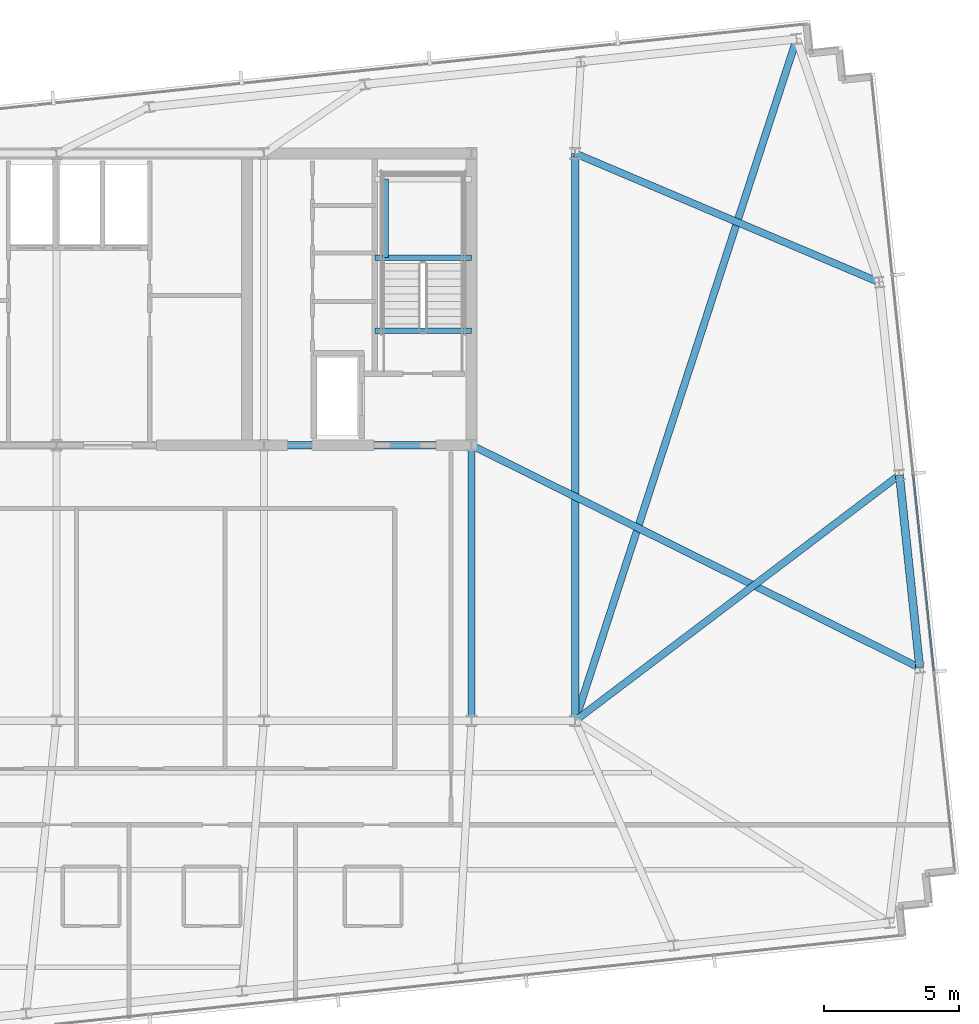
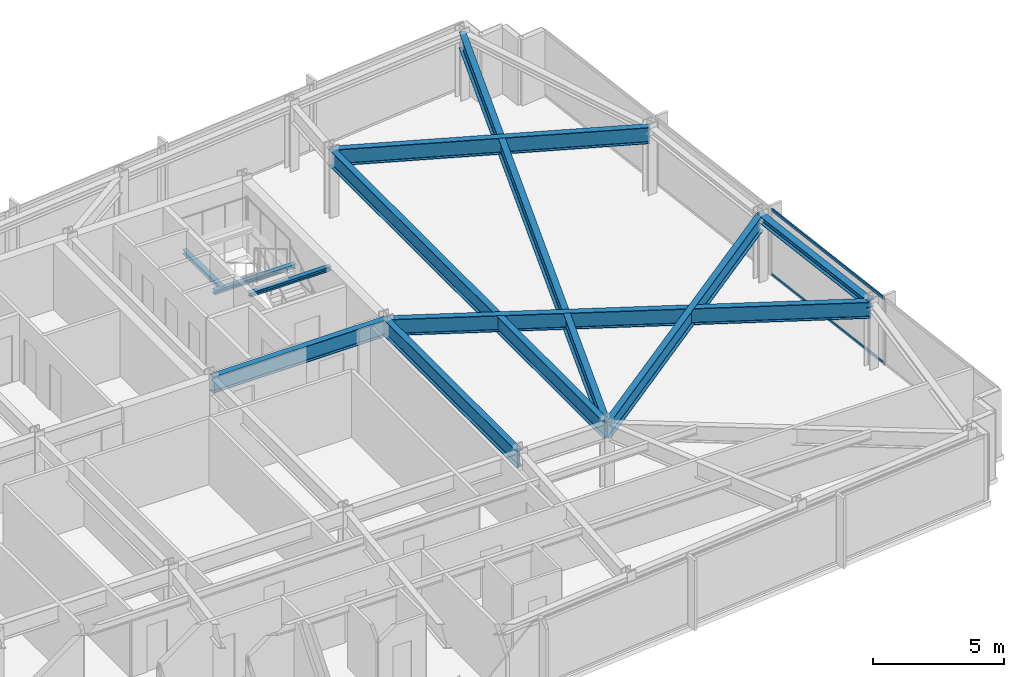
# One storey, part 18 of 33: 11 beams, 2 members, 1 element without a shape of its own.
"""IFC4 building model written with IfcOpenShell, lengths in metres."""

from ifc_helpers import new_model, si_unit, direction, frame, origin, origin_2d, place, context, subcontext, project, spatial, hollow_rectangle, i_section, extrude, material, material_profile, profile_set, type_object, element, aggregate, save


model = new_model("IFC4")

# Units and contexts
model_context = context("Model", 3, precision=1e-05, world=origin(), true_north=direction((0.0, 1.0)))
body_context = subcontext(model_context, "Body", "Model", "MODEL_VIEW")
ifc_project = project(units=[si_unit("LENGTHUNIT", "METRE"), si_unit("AREAUNIT", "SQUARE_METRE"), si_unit("VOLUMEUNIT", "CUBIC_METRE"), si_unit("PLANEANGLEUNIT", "RADIAN"), si_unit("MASSUNIT", "GRAM", prefix="KILO")], contexts=[model_context])

# Site, building, storey
site_placement = place(None, origin())
site = spatial("IfcSite", under=ifc_project, at=site_placement, CompositionType="ELEMENT")
building_placement = place(site_placement, origin())
building = spatial("IfcBuilding", under=site, at=building_placement, Name="Yelkora Congress Tower", CompositionType="ELEMENT")
storey_placement = place(building_placement, frame((0.0, 0.0, 234.199951171875)))
storey = spatial("IfcBuildingStorey", under=building, at=storey_placement, Name="L65", CompositionType="ELEMENT", Elevation=234.199951171875)

# Beams
ifc_material_1 = material(Name="Steel S355J2", Category="steel")
ifc_material_profile_1 = material_profile(ifc_material_1, i_section(OverallWidth=0.26708984375, OverallDepth=0.761962890625, WebThickness=0.014404296875, FlangeThickness=0.021484375, FilletRadius=0.01708984375, at=origin_2d()), Name="IPE 750x173")
ifc_profile_set_1 = profile_set([ifc_material_profile_1], Name="Steel S355J2")
beam_type_1 = type_object("IfcBeamType", Name="BM-GIRD-IPE750", PredefinedType="BEAM", material=ifc_profile_set_1)
beam_1_placement = place(storey_placement, frame((46.080078125, 35.39990234375, 2.698974609375), z_axis=(1.0, 0.0, 0.0), x_axis=(0.0, 1.0, 0.0)))
element("IfcBeam", 1, at=beam_1_placement, inside=storey, type_object=beam_type_1, Name="L65 Core South Girder 4", PredefinedType="BEAM", context=body_context, shape_type="SweptSolid", body=[
    extrude(i_section(OverallWidth=0.26708984375, OverallDepth=0.761962890625, WebThickness=0.014404296875, FlangeThickness=0.021484375, FilletRadius=0.01708984375, at=origin_2d()), origin(), (0.0, 0.0, 1.0), 7.679931640625),
])
beam_2_placement = place(storey_placement, frame((53.760009765625, 25.199951171875, 2.698974609375), z_axis=(0.0, 1.0, 0.0), x_axis=(-1.0, 0.0, 0.0)))
element("IfcBeam", 2, at=beam_2_placement, inside=storey, type_object=beam_type_1, Name="L65 Core Tie Girder MC-D5", PredefinedType="BEAM", context=body_context, shape_type="SweptSolid", body=[
    extrude(i_section(OverallWidth=0.26708984375, OverallDepth=0.761962890625, WebThickness=0.014404296875, FlangeThickness=0.021484375, FilletRadius=0.01708984375, at=origin_2d()), origin(), (0.0, 0.0, 1.0), 10.199951171875),
])
beam_3_placement = place(storey_placement, frame((57.60009765625, 25.199951171875, 2.698974609375), z_axis=(0.0, 1.0, 0.0), x_axis=(-1.0, 0.0, 0.0)))
element("IfcBeam", 3, at=beam_3_placement, inside=storey, type_object=beam_type_1, Name="L65 Neck Flank Girder MC-F2", PredefinedType="BEAM", context=body_context, shape_type="SweptSolid", body=[
    extrude(i_section(OverallWidth=0.26708984375, OverallDepth=0.761962890625, WebThickness=0.014404296875, FlangeThickness=0.021484375, FilletRadius=0.01708984375, at=origin_2d()), origin(), (0.0, 0.0, 1.0), 21.0),
])
beam_4_placement = place(storey_placement, frame((65.7958984375, 50.4365234375, 2.698974609375), z_axis=(-0.308878638672, -0.951101459663, 0.0), x_axis=(0.951101459663, -0.308878638672, 0.0)))
element("IfcBeam", 4, at=beam_4_placement, inside=storey, type_object=beam_type_1, Name="L65 Primary Frame Girder N07", PredefinedType="BEAM", context=body_context, shape_type="SweptSolid", body=[
    extrude(i_section(OverallWidth=0.26708984375, OverallDepth=0.761962890625, WebThickness=0.014404296875, FlangeThickness=0.021484375, FilletRadius=0.01708984375, at=origin_2d()), origin(), (0.0, 0.0, 1.0), 26.533935546875),
])
beam_5_placement = place(storey_placement, frame((70.35400390625, 27.160400390625, 2.698974609375), z_axis=(-0.895665070913, 0.444729221826, 0.0), x_axis=(-0.444729221826, -0.895665070913, 0.0)))
element("IfcBeam", 5, at=beam_5_placement, inside=storey, type_object=beam_type_1, Name="L65 Primary Frame Girder E01", PredefinedType="BEAM", context=body_context, shape_type="SweptSolid", body=[
    extrude(i_section(OverallWidth=0.26708984375, OverallDepth=0.761962890625, WebThickness=0.014404296875, FlangeThickness=0.021484375, FilletRadius=0.01708984375, at=origin_2d()), origin(), (0.0, 0.0, 1.0), 18.527099609375),
])
beam_6_placement = place(storey_placement, frame((69.60400390625, 34.296142578125, 2.698974609375), z_axis=(-0.797017901034, -0.603955681678, 0.0), x_axis=(0.603955681678, -0.797017901034, 0.0)))
element("IfcBeam", 6, at=beam_6_placement, inside=storey, type_object=beam_type_1, Name="L65 Primary Frame Girder E02", PredefinedType="BEAM", context=body_context, shape_type="SweptSolid", body=[
    extrude(i_section(OverallWidth=0.26708984375, OverallDepth=0.761962890625, WebThickness=0.014404296875, FlangeThickness=0.021484375, FilletRadius=0.01708984375, at=origin_2d()), origin(), (0.0, 0.0, 1.0), 15.06103515625),
])
beam_7_placement = place(storey_placement, frame((68.85400390625, 41.431884765625, 2.698974609375), z_axis=(-0.920767530621, 0.390111720606, 0.0), x_axis=(-0.390111720606, -0.920767530621, 0.0)))
element("IfcBeam", 7, at=beam_7_placement, inside=storey, type_object=beam_type_1, Name="L65 Primary Frame Girder E03", PredefinedType="BEAM", context=body_context, shape_type="SweptSolid", body=[
    extrude(i_section(OverallWidth=0.26708984375, OverallDepth=0.761962890625, WebThickness=0.014404296875, FlangeThickness=0.021484375, FilletRadius=0.01708984375, at=origin_2d()), origin(), (0.0, 0.0, 1.0), 12.222412109375),
])
ifc_material_profile_2 = material_profile(ifc_material_1, i_section(OverallWidth=0.199951171875, OverallDepth=0.18994140625, WebThickness=0.006591796875, FlangeThickness=0.010009765625, FilletRadius=0.01806640625, at=origin_2d()), Name="HEA 200")
ifc_profile_set_2 = profile_set([ifc_material_profile_2], Name="Steel S355J2")
beam_type_2 = type_object("IfcBeamType", Name="BM-LAND-HEA200", PredefinedType="BEAM", material=ifc_profile_set_2)
beam_8_placement = place(storey_placement, frame((50.179931640625, 42.340087890625, 1.334716796875), z_axis=(1.0, 0.0, 0.0), x_axis=(0.0, 1.0, 0.0)))
element("IfcBeam", 8, at=beam_8_placement, inside=storey, type_object=beam_type_2, Name="ST-02 L65 Landing Header Beam 1S", PredefinedType="BEAM", context=body_context, shape_type="SweptSolid", body=[
    extrude(i_section(OverallWidth=0.199951171875, OverallDepth=0.18994140625, WebThickness=0.006591796875, FlangeThickness=0.010009765625, FilletRadius=0.01806640625, at=origin_2d()), origin(), (0.0, 0.0, 1.0), 3.580078125),
])
beam_9_placement = place(storey_placement, frame((50.580078125, 42.340087890625, 1.334716796875), z_axis=(0.0, 1.0, 0.0), x_axis=(-1.0, 0.0, 0.0)))
element("IfcBeam", 9, at=beam_9_placement, inside=storey, type_object=beam_type_2, Name="ST-02 L65 Landing Trimmer Beam 1M", PredefinedType="BEAM", context=body_context, shape_type="SweptSolid", body=[
    extrude(i_section(OverallWidth=0.199951171875, OverallDepth=0.18994140625, WebThickness=0.006591796875, FlangeThickness=0.010009765625, FilletRadius=0.01806640625, at=origin_2d()), origin(), (0.0, 0.0, 1.0), 2.909912109375),
])
beam_10_placement = place(storey_placement, frame((50.179931640625, 39.639892578125, 2.85400390625), z_axis=(1.0, 0.0, 0.0), x_axis=(0.0, 1.0, 0.0)))
element("IfcBeam", 10, at=beam_10_placement, inside=storey, type_object=beam_type_2, Name="ST-02 L65 Floor Arrival Stringer Header Beam", PredefinedType="BEAM", context=body_context, shape_type="SweptSolid", body=[
    extrude(i_section(OverallWidth=0.199951171875, OverallDepth=0.18994140625, WebThickness=0.006591796875, FlangeThickness=0.010009765625, FilletRadius=0.01806640625, at=origin_2d()), origin(), (0.0, 0.0, 1.0), 3.580078125),
])
ifc_material_profile_3 = material_profile(ifc_material_1, i_section(OverallWidth=0.300048828125, OverallDepth=0.340087890625, WebThickness=0.011962890625, FlangeThickness=0.021484375, FilletRadius=0.027099609375, at=origin_2d()), Name="HEB 340")
ifc_profile_set_3 = profile_set([ifc_material_profile_3], Name="Steel S355J2")
beam_type_3 = type_object("IfcBeamType", Name="BM-SPAN-HEB340", PredefinedType="SPANDREL", material=ifc_profile_set_3)
beam_11_placement = place(storey_placement, frame((70.35400390625, 27.160400390625, 2.91015625), z_axis=(-0.104528914631, 0.994521847928, 0.0), x_axis=(-0.994521847928, -0.104528914631, 0.0)))
element("IfcBeam", 11, at=beam_11_placement, inside=storey, type_object=beam_type_3, Name="L65 Perimeter Beam 10", PredefinedType="SPANDREL", context=body_context, shape_type="SweptSolid", body=[
    extrude(i_section(OverallWidth=0.300048828125, OverallDepth=0.340087890625, WebThickness=0.011962890625, FlangeThickness=0.021484375, FilletRadius=0.027099609375, at=origin_2d()), origin(), (0.0, 0.0, 1.0), 7.175048828125),
])

# Curtain wall, members
ifc_material_2 = material(Name="Anodised aluminium and insulated glass", Category="aluminium")
curtain_wall_type = type_object("IfcCurtainWallType", Name="CW-SYS-B4", PredefinedType="NOTDEFINED", material=ifc_material_2)
curtain_wall_placement = place(storey_placement, origin())
curtain_wall = element("IfcCurtainWall", 12, at=curtain_wall_placement, inside=storey, type_object=curtain_wall_type, Name="L65 Unitised Curtain Wall 15", PredefinedType="NOTDEFINED")
ifc_material_3 = material(Name="Anodised aluminium 6063-T6", Category="aluminium")
ifc_material_profile_4 = material_profile(ifc_material_3, hollow_rectangle(XDim=0.06005859375, YDim=0.1298828125, WallThickness=0.00390625, at=origin_2d()), Name="ALU 60x130x4")
ifc_profile_set_4 = profile_set([ifc_material_profile_4], Name="Anodised aluminium 6063-T6")
member_type = type_object("IfcMemberType", Name="MEM-TR-B4", PredefinedType="USERDEFINED", material=ifc_profile_set_4)
member_1_placement = place(storey_placement, frame((70.114501953125, 34.317138671875, 0.030029296875), z_axis=(0.104531896307, -0.994521534535, 0.0), x_axis=(0.994521534535, 0.104531896307, 0.0)))
member_1 = element("IfcMember", 13, at=member_1_placement, type_object=member_type, Name="CW-B4 transom 3.1", ObjectType="TRANSOM", PredefinedType="USERDEFINED", context=body_context, shape_type="SweptSolid", body=[
    extrude(hollow_rectangle(XDim=0.06005859375, YDim=0.1298828125, WallThickness=0.00390625, at=origin_2d()), origin(), (0.0, 0.0, 1.0), 7.31494140625),
])
member_2_placement = place(storey_placement, frame((70.114501953125, 34.317138671875, 3.050048828125), z_axis=(0.104531896307, -0.994521534535, 0.0), x_axis=(0.994521534535, 0.104531896307, 0.0)))
member_2 = element("IfcMember", 14, at=member_2_placement, type_object=member_type, Name="CW-B4 transom 3.2", ObjectType="TRANSOM", PredefinedType="USERDEFINED", context=body_context, shape_type="SweptSolid", body=[
    extrude(hollow_rectangle(XDim=0.06005859375, YDim=0.1298828125, WallThickness=0.00390625, at=origin_2d()), origin(), (0.0, 0.0, 1.0), 7.31494140625),
])
aggregate(curtain_wall, [member_1, member_2])

save(model, "model.ifc")
